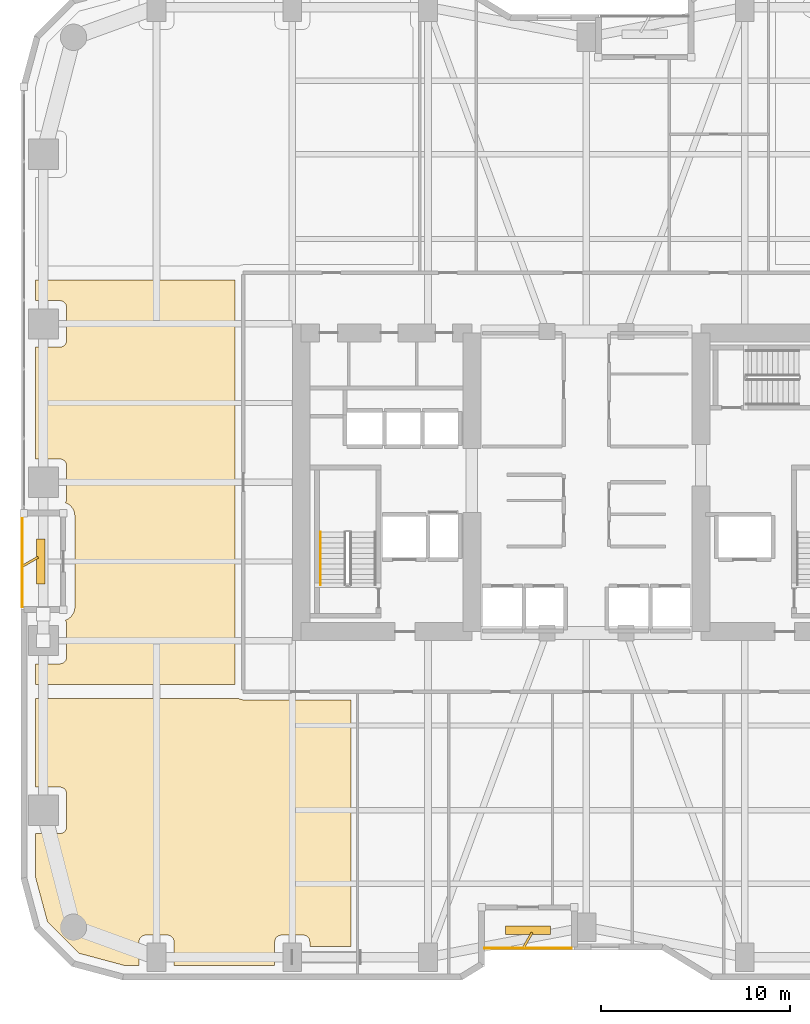
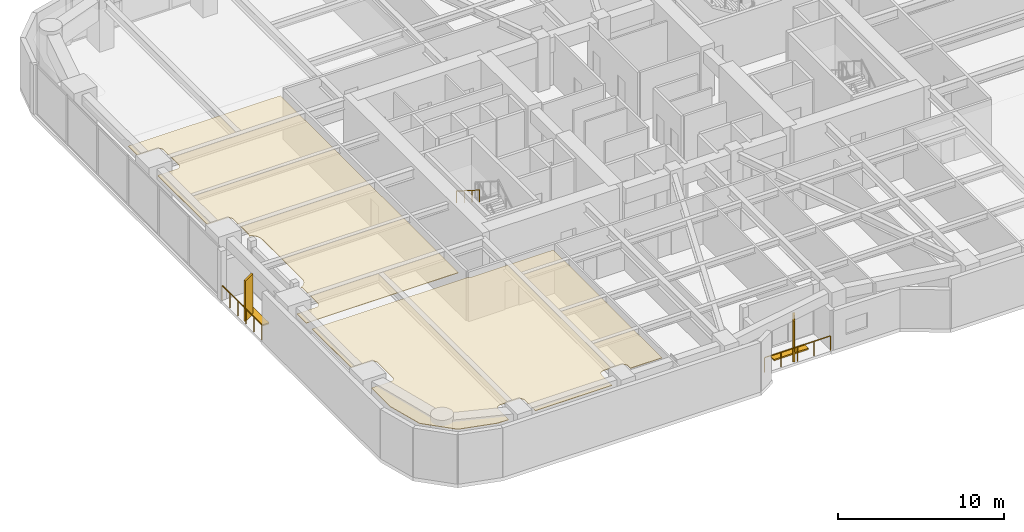
# One storey, part 26 of 29: 4 shading devices, 3 railings, 2 coverings.
"""IFC4 building model written with IfcOpenShell, lengths in metres."""

from ifc_helpers import new_model, si_unit, direction, frame, origin, origin_2d, place, context, subcontext, project, spatial, polyline, rectangle, outline, extrude, material, layer, layer_set, type_object, element, save


model = new_model("IFC4")

# Units and contexts
model_context = context("Model", 3, precision=1e-05, world=origin(), true_north=direction((0.0, 1.0)))
body_context = subcontext(model_context, "Body", "Model", "MODEL_VIEW")
ifc_project = project(units=[si_unit("LENGTHUNIT", "METRE"), si_unit("AREAUNIT", "SQUARE_METRE"), si_unit("VOLUMEUNIT", "CUBIC_METRE"), si_unit("PLANEANGLEUNIT", "RADIAN"), si_unit("MASSUNIT", "GRAM", prefix="KILO")], contexts=[model_context])

# Site, building, storey
site_placement = place(None, origin())
site = spatial("IfcSite", under=ifc_project, at=site_placement, CompositionType="ELEMENT")
building_placement = place(site_placement, origin())
building = spatial("IfcBuilding", under=site, at=building_placement, Name="Kiyonajd Concourse Tower", CompositionType="ELEMENT")
storey_placement = place(building_placement, frame((0.0, 0.0, 48.89990234375)))
storey = spatial("IfcBuildingStorey", under=building, at=storey_placement, Name="L13", CompositionType="ELEMENT", Elevation=48.89990234375)

# Coverings
ifc_material_1 = material(Name="Natural Oak Acoustic Timber Veneer", Category="wood")
ifc_layer = layer(ifc_material_1, 0.0400390625)
ifc_layer_set = layer_set([ifc_layer], Name="Natural Oak Acoustic Timber Veneer")
covering_type = type_object("IfcCoveringType", Name="CV-CLG-ACST", PredefinedType="CEILING", material=ifc_layer_set)
covering_1_placement = place(storey_placement, frame((0.0, 0.0, 3.460205078125)))
element("IfcCovering", 1, at=covering_1_placement, inside=storey, type_object=covering_type, Name="L13-39 Room Acoustic Ceiling", PredefinedType="CEILING", context=body_context, shape_type="SweptSolid", body=[
    extrude(outline(polyline([(19.4140625, 12.697998046875), (18.77001953125, 15.10107421875), (18.77001953125, 17.3701171875), (20.114013671875, 17.3720703125), (20.181884765625, 17.385009765625), (20.2451171875, 17.410888671875), (20.302001953125, 17.448974609375), (20.35107421875, 17.498046875), (20.388916015625, 17.554931640625), (20.4150390625, 17.617919921875), (20.429931640625, 17.719970703125), (20.427978515625, 19.513916015625), (20.403076171875, 19.614013671875), (20.35107421875, 19.701904296875), (20.302001953125, 19.7509765625), (20.2451171875, 19.7890625), (20.14794921875, 19.822998046875), (20.080078125, 19.830078125), (18.77001953125, 19.830078125), (18.77001953125, 24.5400390625), (29.552001953125, 24.5400390625), (29.60693359375, 24.506103515625), (29.669921875, 24.47998046875), (29.800048828125, 24.4599609375), (35.510009765625, 24.4599609375), (35.510009765625, 11.3701171875), (33.330078125, 11.3701171875), (33.327880859375, 11.6640625), (33.302978515625, 11.763916015625), (33.27099609375, 11.823974609375), (33.22705078125, 11.876953125), (33.174072265625, 11.9208984375), (33.114013671875, 11.952880859375), (33.048095703125, 11.972900390625), (32.97998046875, 11.97998046875), (31.785888671875, 11.97802734375), (31.68603515625, 11.952880859375), (31.597900390625, 11.90087890625), (31.549072265625, 11.85205078125), (31.510986328125, 11.794921875), (31.47705078125, 11.697998046875), (31.469970703125, 11.6298828125), (31.469970703125, 10.3701171875), (26.1298828125, 10.3701171875), (26.1279296875, 11.6640625), (26.114990234375, 11.73193359375), (26.089111328125, 11.794921875), (26.027099609375, 11.876953125), (25.945068359375, 11.93896484375), (25.882080078125, 11.965087890625), (25.81396484375, 11.97802734375), (24.5859375, 11.97802734375), (24.486083984375, 11.952880859375), (24.39794921875, 11.90087890625), (24.34912109375, 11.85205078125), (24.31103515625, 11.794921875), (24.277099609375, 11.697998046875), (24.27001953125, 11.6298828125), (24.27001953125, 10.3701171875), (23.5009765625, 10.3701171875), (21.097900390625, 11.013916015625), (19.4140625, 12.697998046875)])), origin(), (0.0, 0.0, 1.0), 0.039794921875),
])
covering_2_placement = place(storey_placement, frame((0.0, 0.0, 3.460205078125)))
element("IfcCovering", 2, at=covering_2_placement, inside=storey, type_object=covering_type, Name="L13-52 Room Acoustic Ceiling", PredefinedType="CEILING", context=body_context, shape_type="SweptSolid", body=[
    extrude(outline(polyline([(20.367919921875, 28.678955078125), (20.450927734375, 28.715087890625), (20.580078125, 28.798095703125), (20.656982421875, 28.867919921875), (20.7080078125, 28.927978515625), (20.757080078125, 29.0), (20.80810546875, 29.095947265625), (20.842041015625, 29.193115234375), (20.864013671875, 29.30810546875), (20.8701171875, 34.199951171875), (20.860107421875, 34.31591796875), (20.842041015625, 34.406982421875), (20.80810546875, 34.50390625), (20.757080078125, 34.60009765625), (20.68505859375, 34.700927734375), (20.60107421875, 34.784912109375), (20.5390625, 34.83203125), (20.367919921875, 34.9208984375), (20.4150390625, 35.01806640625), (20.429931640625, 35.1201171875), (20.429931640625, 36.8798828125), (20.4150390625, 36.98193359375), (20.37109375, 37.073974609375), (20.302001953125, 37.15087890625), (20.2451171875, 37.18896484375), (20.181884765625, 37.215087890625), (20.114013671875, 37.22802734375), (18.77001953125, 37.22998046875), (18.77001953125, 43.169921875), (20.114013671875, 43.172119140625), (20.181884765625, 43.18505859375), (20.2451171875, 43.2109375), (20.302001953125, 43.2490234375), (20.35107421875, 43.298095703125), (20.388916015625, 43.35498046875), (20.4150390625, 43.41796875), (20.429931640625, 43.52001953125), (20.427978515625, 45.31396484375), (20.403076171875, 45.4140625), (20.35107421875, 45.501953125), (20.302001953125, 45.551025390625), (20.2451171875, 45.589111328125), (20.14794921875, 45.623046875), (20.080078125, 45.6298828125), (18.77001953125, 45.6298828125), (18.77001953125, 46.739990234375), (29.3701171875, 46.739990234375), (29.3701171875, 25.260009765625), (18.77001953125, 25.260009765625), (18.77001953125, 26.3701171875), (20.114013671875, 26.3720703125), (20.214111328125, 26.39697265625), (20.302001953125, 26.448974609375), (20.35107421875, 26.498046875), (20.403076171875, 26.5859375), (20.423095703125, 26.652099609375), (20.429931640625, 26.719970703125), (20.429931640625, 28.47998046875), (20.4150390625, 28.58203125), (20.367919921875, 28.678955078125)])), origin(), (0.0, 0.0, 1.0), 0.039794921875),
])

# Railings
ifc_material_2 = material(Name="Thermally Broken Anodised Aluminium", Category="aluminium")
railing_type_1 = type_object("IfcRailingType", Name="RL-GRD-LOG", PredefinedType="GUARDRAIL", material=ifc_material_2)
railing_1_placement = place(storey_placement, frame((42.60009765625, 11.280029296875, 0.0)))
element("IfcRailing", 3, at=railing_1_placement, inside=storey, type_object=railing_type_1, Name="L13 Engawa Loggia Perimeter Guard LOG-S", PredefinedType="GUARDRAIL", context=body_context, shape_type="SweptSolid", body=[
    extrude(rectangle(XDim=0.048095703125, YDim=0.048095703125, at=origin_2d()), frame((0.0, 0.0, 1.076171875), z_axis=(1.0, 0.0, 0.0), x_axis=(0.0, 1.0, 0.0)), (0.0, 0.0, 1.0), 4.599853515625),
    extrude(rectangle(XDim=0.0419921875, YDim=0.0419921875, at=origin_2d()), origin(), (0.0, 0.0, 1.0), 1.052001953125),
    extrude(rectangle(XDim=0.0419921875, YDim=0.0419921875, at=origin_2d()), frame((1.14990234375, 0.0, 0.0)), (0.0, 0.0, 1.0), 1.052001953125),
    extrude(rectangle(XDim=0.0419921875, YDim=0.0419921875, at=origin_2d()), frame((2.2998046875, 0.0, 0.0)), (0.0, 0.0, 1.0), 1.052001953125),
    extrude(rectangle(XDim=0.0419921875, YDim=0.0419921875, at=origin_2d()), frame((3.449951171875, 0.0, 0.0)), (0.0, 0.0, 1.0), 1.052001953125),
    extrude(rectangle(XDim=0.0419921875, YDim=0.0419921875, at=origin_2d()), frame((4.599853515625, 0.0, 0.0)), (0.0, 0.0, 1.0), 1.052001953125),
])
railing_2_placement = place(storey_placement, frame((18.080078125, 34.199951171875, 0.0)))
element("IfcRailing", 4, at=railing_2_placement, inside=storey, type_object=railing_type_1, Name="L13 Engawa Loggia Perimeter Guard LOG-W", PredefinedType="GUARDRAIL", context=body_context, shape_type="SweptSolid", body=[
    extrude(rectangle(XDim=0.048095703125, YDim=0.048095703125, at=origin_2d()), frame((0.0, 0.0, 1.076171875), z_axis=(0.0, -1.0, 0.0), x_axis=(1.0, 0.0, 0.0)), (0.0, 0.0, 1.0), 4.800048828125),
    extrude(rectangle(XDim=0.0419921875, YDim=0.0419921875, at=origin_2d()), origin(), (0.0, 0.0, 1.0), 1.052001953125),
    extrude(rectangle(XDim=0.0419921875, YDim=0.0419921875, at=origin_2d()), frame((0.0, -0.9599609375, 0.0)), (0.0, 0.0, 1.0), 1.052001953125),
    extrude(rectangle(XDim=0.0419921875, YDim=0.0419921875, at=origin_2d()), frame((0.0, -1.919921875, 0.0)), (0.0, 0.0, 1.0), 1.052001953125),
    extrude(rectangle(XDim=0.0419921875, YDim=0.0419921875, at=origin_2d()), frame((0.0, -2.880126953125, 0.0)), (0.0, 0.0, 1.0), 1.052001953125),
    extrude(rectangle(XDim=0.0419921875, YDim=0.0419921875, at=origin_2d()), frame((0.0, -3.840087890625, 0.0)), (0.0, 0.0, 1.0), 1.052001953125),
    extrude(rectangle(XDim=0.0419921875, YDim=0.0419921875, at=origin_2d()), frame((0.0, -4.800048828125, 0.0)), (0.0, 0.0, 1.0), 1.052001953125),
])
ifc_material_3 = material(Name="Brushed Stainless Steel Cab Assembly", Category="steel")
railing_type_2 = type_object("IfcRailingType", Name="RL-HND-900", PredefinedType="HANDRAIL", material=ifc_material_3)
railing_3_placement = place(storey_placement, frame((33.89990234375, 33.35009765625, 2.12744140625)))
element("IfcRailing", 5, at=railing_3_placement, inside=storey, type_object=railing_type_2, Name="L13 ST1 stair handrail 2", PredefinedType="HANDRAIL", context=body_context, shape_type="SweptSolid", body=[
    extrude(rectangle(XDim=0.048095703125, YDim=0.048095703125, at=origin_2d()), frame((0.0, 0.0, 0.8759765625), z_axis=(0.0, -0.844908973607, 0.534910110503), x_axis=(1.0, 0.0, 0.0)), (0.0, 0.0, 1.0), 3.31396484375),
    extrude(rectangle(XDim=0.0419921875, YDim=0.0419921875, at=origin_2d()), origin(), (0.0, 0.0, 1.0), 0.851806640625),
    extrude(rectangle(XDim=0.0419921875, YDim=0.0419921875, at=origin_2d()), frame((0.0, -0.933349609375, 0.5908203125)), (0.0, 0.0, 1.0), 0.851806640625),
    extrude(rectangle(XDim=0.0419921875, YDim=0.0419921875, at=origin_2d()), frame((0.0, -1.86669921875, 1.181884765625)), (0.0, 0.0, 1.0), 0.851806640625),
    extrude(rectangle(XDim=0.0419921875, YDim=0.0419921875, at=origin_2d()), frame((0.0, -2.800048828125, 1.772705078125)), (0.0, 0.0, 1.0), 0.851806640625),
])

# Shading devices
ifc_material_4 = material(Name="Precast concrete C50/60", Category="concrete")
shading_device_type_1 = type_object("IfcShadingDeviceType", Name="SH-FIN-900", PredefinedType="USERDEFINED", material=ifc_material_4)
for number, where, z_axis, x_axis, name in (
    (6, (44.89990234375, 11.72998046875, 0.0), (0.0, 0.0, 1.0), (0.5, 0.866025403784, 0.0), "L13 Angled Koshi Solar Fin LOG-S"),
    (7, (18.530029296875, 31.800048828125, 0.0), (0.0, 0.0, 1.0), (0.866025403784, 0.5, 0.0), "L13 Angled Koshi Solar Fin LOG-W"),
):
    element("IfcShadingDevice", number, at=place(storey_placement, frame(where, z_axis=z_axis, x_axis=x_axis)), inside=storey, type_object=shading_device_type_1, Name=name, ObjectType="FIN", PredefinedType="USERDEFINED", context=body_context, shape_type="SweptSolid", body=[
        extrude(rectangle(XDim=0.89990234375, YDim=0.1201171875, at=origin_2d()), origin(), (0.0, 0.0, 1.0), 3.0),
    ])
shading_device_type_2 = type_object("IfcShadingDeviceType", Name="SH-LVR-600", PredefinedType="JALOUSIE", material=ifc_material_2)
for number, where, z_axis, x_axis, name in (
    (8, (44.89990234375, 12.25, 0.0), (0.0, 0.0, 1.0), (1.0, 0.0, 0.0), "L13 Loggia Threshold Louver LOG-S"),
    (9, (19.050048828125, 31.800048828125, 0.0), (0.0, 0.0, 1.0), (0.0, 1.0, 0.0), "L13 Loggia Threshold Louver LOG-W"),
):
    element("IfcShadingDevice", number, at=place(storey_placement, frame(where, z_axis=z_axis, x_axis=x_axis)), inside=storey, type_object=shading_device_type_2, Name=name, PredefinedType="JALOUSIE", context=body_context, shape_type="SweptSolid", body=[
        extrude(rectangle(XDim=2.39990234375, YDim=0.449951171875, at=origin_2d()), origin(), (0.0, 0.0, 1.0), 0.10009765625),
    ])

save(model, "model.ifc")
